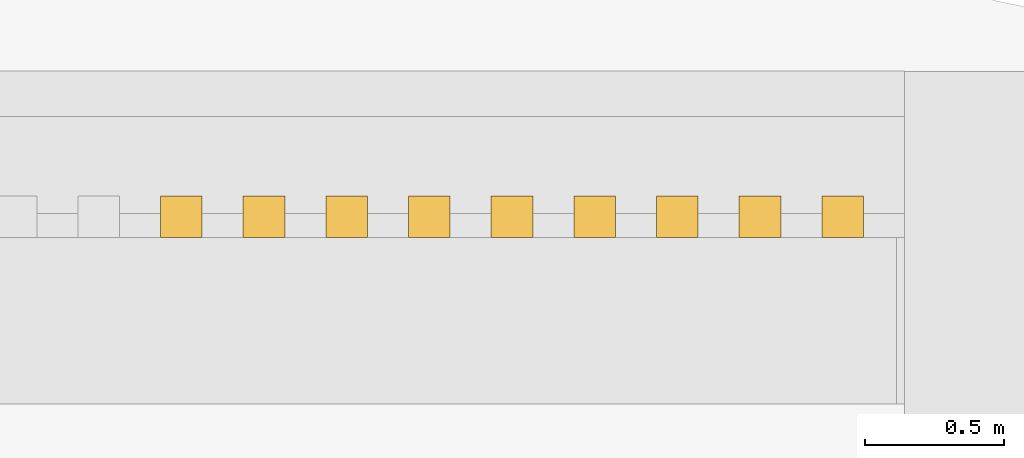
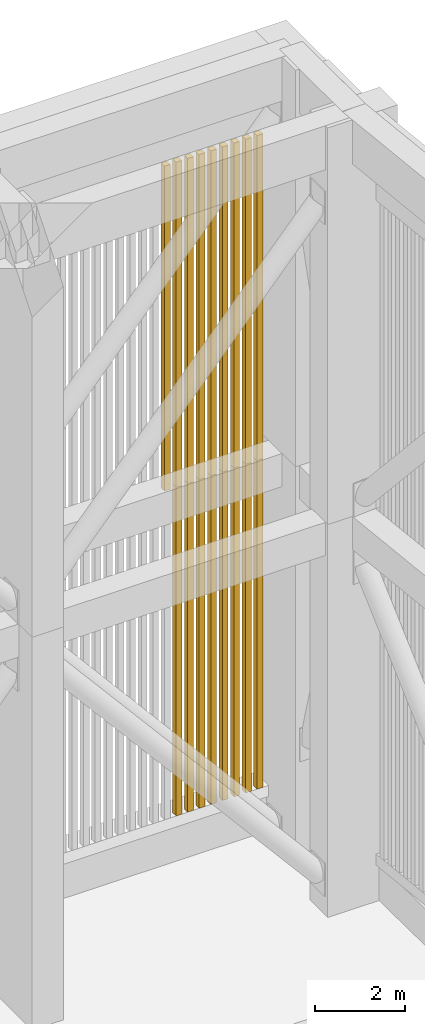
# One storey, part 26 of 27: 17 shading devices.
"""IFC4 building model written with IfcOpenShell, lengths in metres."""

from ifc_helpers import new_model, si_unit, direction, frame, origin, origin_2d, place, context, subcontext, project, spatial, rectangle, extrude, material, type_object, element, save


model = new_model("IFC4")

# Units and contexts
model_context = context("Model", 3, precision=1e-05, world=origin(), true_north=direction((0.0, 1.0)))
body_context = subcontext(model_context, "Body", "Model", "MODEL_VIEW")
ifc_project = project(units=[si_unit("LENGTHUNIT", "METRE"), si_unit("AREAUNIT", "SQUARE_METRE"), si_unit("VOLUMEUNIT", "CUBIC_METRE"), si_unit("PLANEANGLEUNIT", "RADIAN"), si_unit("MASSUNIT", "GRAM", prefix="KILO")], contexts=[model_context])

# Site, building, storey
site_placement = place(None, origin())
site = spatial("IfcSite", under=ifc_project, at=site_placement, CompositionType="ELEMENT")
building_placement = place(site_placement, origin())
building = spatial("IfcBuilding", under=site, at=building_placement, Name="Claustro Exchange Tower", CompositionType="ELEMENT")
storey_placement = place(building_placement, frame((0.0, 0.0, 287.10009765625)))
storey = spatial("IfcBuildingStorey", under=building, at=storey_placement, Name="ROOF", CompositionType="ELEMENT", Elevation=287.10009765625)

# Shading devices
ifc_material = material(Name="Concrete HA-40 (C40/50), precast, white cement, acid-etched", Category="concrete")
shading_device_type = type_object("IfcShadingDeviceType", Name="LV1 150 x 150 precast concrete crown louvre", PredefinedType="USERDEFINED", material=ifc_material)
shading_device_1_placement = place(storey_placement, frame((47.39208984375, 45.175537109375, 10.349853515625), z_axis=(0.0, 0.0, 1.0), x_axis=(1.0, 0.0, 0.0)))
element("IfcShadingDevice", 1, at=shading_device_1_placement, inside=storey, type_object=shading_device_type, Name="CROWN LOUVRE LV1 6/F+2800 - 7/F+2800 17 upper", ObjectType="CROWN LOUVRE", PredefinedType="USERDEFINED", context=body_context, shape_type="SweptSolid", body=[
    extrude(rectangle(XDim=0.14990234375, YDim=0.14990234375, at=origin_2d()), origin(), (0.0, 0.0, 1.0), 8.85009765625),
])
shading_device_2_placement = place(storey_placement, frame((47.690185546875, 45.175537109375, 1.39990234375), z_axis=(0.0, 0.0, 1.0), x_axis=(1.0, 0.0, 0.0)))
element("IfcShadingDevice", 2, at=shading_device_2_placement, inside=storey, type_object=shading_device_type, Name="CROWN LOUVRE LV1 6/F+2800 - 7/F+2800 18 lower", ObjectType="CROWN LOUVRE", PredefinedType="USERDEFINED", context=body_context, shape_type="SweptSolid", body=[
    extrude(rectangle(XDim=0.14990234375, YDim=0.14990234375, at=origin_2d()), origin(), (0.0, 0.0, 1.0), 8.949951171875),
])
shading_device_3_placement = place(storey_placement, frame((47.690185546875, 45.175537109375, 10.349853515625), z_axis=(0.0, 0.0, 1.0), x_axis=(1.0, 0.0, 0.0)))
element("IfcShadingDevice", 3, at=shading_device_3_placement, inside=storey, type_object=shading_device_type, Name="CROWN LOUVRE LV1 6/F+2800 - 7/F+2800 18 upper", ObjectType="CROWN LOUVRE", PredefinedType="USERDEFINED", context=body_context, shape_type="SweptSolid", body=[
    extrude(rectangle(XDim=0.14990234375, YDim=0.14990234375, at=origin_2d()), origin(), (0.0, 0.0, 1.0), 8.85009765625),
])
shading_device_4_placement = place(storey_placement, frame((47.98828125, 45.175537109375, 1.39990234375), z_axis=(0.0, 0.0, 1.0), x_axis=(1.0, 0.0, 0.0)))
element("IfcShadingDevice", 4, at=shading_device_4_placement, inside=storey, type_object=shading_device_type, Name="CROWN LOUVRE LV1 6/F+2800 - 7/F+2800 19 lower", ObjectType="CROWN LOUVRE", PredefinedType="USERDEFINED", context=body_context, shape_type="SweptSolid", body=[
    extrude(rectangle(XDim=0.14990234375, YDim=0.14990234375, at=origin_2d()), origin(), (0.0, 0.0, 1.0), 8.949951171875),
])
shading_device_5_placement = place(storey_placement, frame((47.98828125, 45.175537109375, 10.349853515625), z_axis=(0.0, 0.0, 1.0), x_axis=(1.0, 0.0, 0.0)))
element("IfcShadingDevice", 5, at=shading_device_5_placement, inside=storey, type_object=shading_device_type, Name="CROWN LOUVRE LV1 6/F+2800 - 7/F+2800 19 upper", ObjectType="CROWN LOUVRE", PredefinedType="USERDEFINED", context=body_context, shape_type="SweptSolid", body=[
    extrude(rectangle(XDim=0.14990234375, YDim=0.14990234375, at=origin_2d()), origin(), (0.0, 0.0, 1.0), 8.85009765625),
])
shading_device_6_placement = place(storey_placement, frame((48.286376953125, 45.175537109375, 1.39990234375), z_axis=(0.0, 0.0, 1.0), x_axis=(1.0, 0.0, 0.0)))
element("IfcShadingDevice", 6, at=shading_device_6_placement, inside=storey, type_object=shading_device_type, Name="CROWN LOUVRE LV1 6/F+2800 - 7/F+2800 20 lower", ObjectType="CROWN LOUVRE", PredefinedType="USERDEFINED", context=body_context, shape_type="SweptSolid", body=[
    extrude(rectangle(XDim=0.14990234375, YDim=0.14990234375, at=origin_2d()), origin(), (0.0, 0.0, 1.0), 8.949951171875),
])
shading_device_7_placement = place(storey_placement, frame((48.286376953125, 45.175537109375, 10.349853515625), z_axis=(0.0, 0.0, 1.0), x_axis=(1.0, 0.0, 0.0)))
element("IfcShadingDevice", 7, at=shading_device_7_placement, inside=storey, type_object=shading_device_type, Name="CROWN LOUVRE LV1 6/F+2800 - 7/F+2800 20 upper", ObjectType="CROWN LOUVRE", PredefinedType="USERDEFINED", context=body_context, shape_type="SweptSolid", body=[
    extrude(rectangle(XDim=0.14990234375, YDim=0.14990234375, at=origin_2d()), origin(), (0.0, 0.0, 1.0), 8.85009765625),
])
shading_device_8_placement = place(storey_placement, frame((48.584228515625, 45.175537109375, 1.39990234375), z_axis=(0.0, 0.0, 1.0), x_axis=(1.0, 0.0, 0.0)))
element("IfcShadingDevice", 8, at=shading_device_8_placement, inside=storey, type_object=shading_device_type, Name="CROWN LOUVRE LV1 6/F+2800 - 7/F+2800 21 lower", ObjectType="CROWN LOUVRE", PredefinedType="USERDEFINED", context=body_context, shape_type="SweptSolid", body=[
    extrude(rectangle(XDim=0.14990234375, YDim=0.14990234375, at=origin_2d()), origin(), (0.0, 0.0, 1.0), 8.949951171875),
])
shading_device_9_placement = place(storey_placement, frame((48.584228515625, 45.175537109375, 10.349853515625), z_axis=(0.0, 0.0, 1.0), x_axis=(1.0, 0.0, 0.0)))
element("IfcShadingDevice", 9, at=shading_device_9_placement, inside=storey, type_object=shading_device_type, Name="CROWN LOUVRE LV1 6/F+2800 - 7/F+2800 21 upper", ObjectType="CROWN LOUVRE", PredefinedType="USERDEFINED", context=body_context, shape_type="SweptSolid", body=[
    extrude(rectangle(XDim=0.14990234375, YDim=0.14990234375, at=origin_2d()), origin(), (0.0, 0.0, 1.0), 8.85009765625),
])
shading_device_10_placement = place(storey_placement, frame((48.88232421875, 45.175537109375, 1.39990234375), z_axis=(0.0, 0.0, 1.0), x_axis=(1.0, 0.0, 0.0)))
element("IfcShadingDevice", 10, at=shading_device_10_placement, inside=storey, type_object=shading_device_type, Name="CROWN LOUVRE LV1 6/F+2800 - 7/F+2800 22 lower", ObjectType="CROWN LOUVRE", PredefinedType="USERDEFINED", context=body_context, shape_type="SweptSolid", body=[
    extrude(rectangle(XDim=0.14990234375, YDim=0.14990234375, at=origin_2d()), origin(), (0.0, 0.0, 1.0), 8.949951171875),
])
shading_device_11_placement = place(storey_placement, frame((48.88232421875, 45.175537109375, 10.349853515625), z_axis=(0.0, 0.0, 1.0), x_axis=(1.0, 0.0, 0.0)))
element("IfcShadingDevice", 11, at=shading_device_11_placement, inside=storey, type_object=shading_device_type, Name="CROWN LOUVRE LV1 6/F+2800 - 7/F+2800 22 upper", ObjectType="CROWN LOUVRE", PredefinedType="USERDEFINED", context=body_context, shape_type="SweptSolid", body=[
    extrude(rectangle(XDim=0.14990234375, YDim=0.14990234375, at=origin_2d()), origin(), (0.0, 0.0, 1.0), 8.85009765625),
])
shading_device_12_placement = place(storey_placement, frame((49.180419921875, 45.175537109375, 1.39990234375), z_axis=(0.0, 0.0, 1.0), x_axis=(1.0, 0.0, 0.0)))
element("IfcShadingDevice", 12, at=shading_device_12_placement, inside=storey, type_object=shading_device_type, Name="CROWN LOUVRE LV1 6/F+2800 - 7/F+2800 23 lower", ObjectType="CROWN LOUVRE", PredefinedType="USERDEFINED", context=body_context, shape_type="SweptSolid", body=[
    extrude(rectangle(XDim=0.14990234375, YDim=0.14990234375, at=origin_2d()), origin(), (0.0, 0.0, 1.0), 8.949951171875),
])
shading_device_13_placement = place(storey_placement, frame((49.180419921875, 45.175537109375, 10.349853515625), z_axis=(0.0, 0.0, 1.0), x_axis=(1.0, 0.0, 0.0)))
element("IfcShadingDevice", 13, at=shading_device_13_placement, inside=storey, type_object=shading_device_type, Name="CROWN LOUVRE LV1 6/F+2800 - 7/F+2800 23 upper", ObjectType="CROWN LOUVRE", PredefinedType="USERDEFINED", context=body_context, shape_type="SweptSolid", body=[
    extrude(rectangle(XDim=0.14990234375, YDim=0.14990234375, at=origin_2d()), origin(), (0.0, 0.0, 1.0), 8.85009765625),
])
shading_device_14_placement = place(storey_placement, frame((49.478515625, 45.175537109375, 1.39990234375), z_axis=(0.0, 0.0, 1.0), x_axis=(1.0, 0.0, 0.0)))
element("IfcShadingDevice", 14, at=shading_device_14_placement, inside=storey, type_object=shading_device_type, Name="CROWN LOUVRE LV1 6/F+2800 - 7/F+2800 24 lower", ObjectType="CROWN LOUVRE", PredefinedType="USERDEFINED", context=body_context, shape_type="SweptSolid", body=[
    extrude(rectangle(XDim=0.14990234375, YDim=0.14990234375, at=origin_2d()), origin(), (0.0, 0.0, 1.0), 8.949951171875),
])
shading_device_15_placement = place(storey_placement, frame((49.478515625, 45.175537109375, 10.349853515625), z_axis=(0.0, 0.0, 1.0), x_axis=(1.0, 0.0, 0.0)))
element("IfcShadingDevice", 15, at=shading_device_15_placement, inside=storey, type_object=shading_device_type, Name="CROWN LOUVRE LV1 6/F+2800 - 7/F+2800 24 upper", ObjectType="CROWN LOUVRE", PredefinedType="USERDEFINED", context=body_context, shape_type="SweptSolid", body=[
    extrude(rectangle(XDim=0.14990234375, YDim=0.14990234375, at=origin_2d()), origin(), (0.0, 0.0, 1.0), 8.85009765625),
])
shading_device_16_placement = place(storey_placement, frame((49.776611328125, 45.175537109375, 1.39990234375), z_axis=(0.0, 0.0, 1.0), x_axis=(1.0, 0.0, 0.0)))
element("IfcShadingDevice", 16, at=shading_device_16_placement, inside=storey, type_object=shading_device_type, Name="CROWN LOUVRE LV1 6/F+2800 - 7/F+2800 25 lower", ObjectType="CROWN LOUVRE", PredefinedType="USERDEFINED", context=body_context, shape_type="SweptSolid", body=[
    extrude(rectangle(XDim=0.14990234375, YDim=0.14990234375, at=origin_2d()), origin(), (0.0, 0.0, 1.0), 8.949951171875),
])
shading_device_17_placement = place(storey_placement, frame((49.776611328125, 45.175537109375, 10.349853515625), z_axis=(0.0, 0.0, 1.0), x_axis=(1.0, 0.0, 0.0)))
element("IfcShadingDevice", 17, at=shading_device_17_placement, inside=storey, type_object=shading_device_type, Name="CROWN LOUVRE LV1 6/F+2800 - 7/F+2800 25 upper", ObjectType="CROWN LOUVRE", PredefinedType="USERDEFINED", context=body_context, shape_type="SweptSolid", body=[
    extrude(rectangle(XDim=0.14990234375, YDim=0.14990234375, at=origin_2d()), origin(), (0.0, 0.0, 1.0), 8.85009765625),
])

save(model, "model.ifc")
